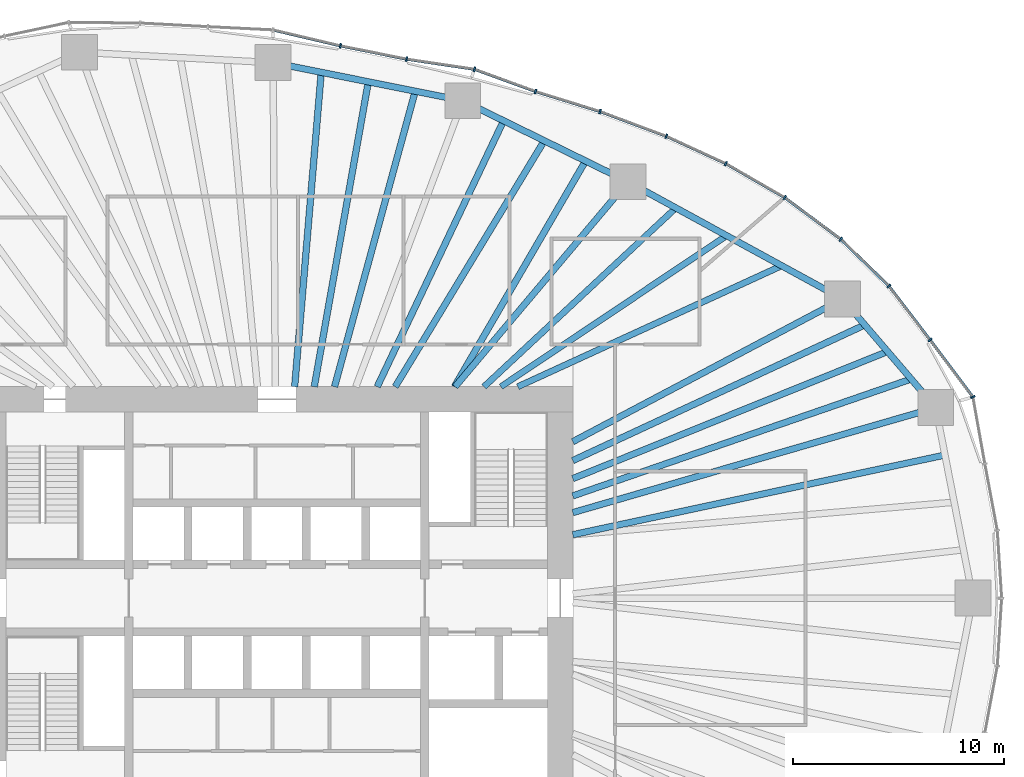
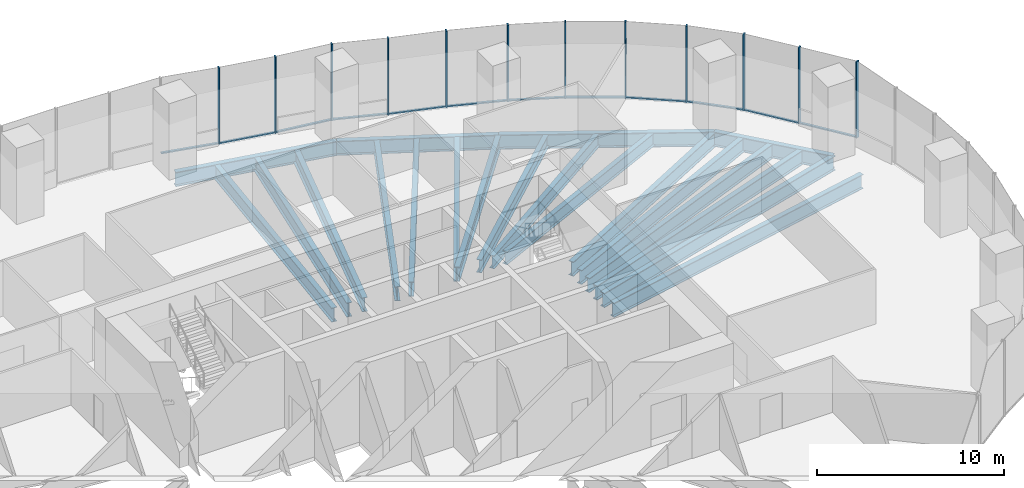
# One storey, part 6 of 20: 24 members, 20 beams, 4 elements without a shape of their own.
"""IFC4 building model written with IfcOpenShell, lengths in metres."""

from ifc_helpers import new_model, si_unit, direction, frame, origin, origin_2d, place, context, subcontext, project, spatial, rectangle, i_section, extrude, material, material_profile, profile_set, type_object, element, aggregate, save


model = new_model("IFC4")

# Units and contexts
model_context = context("Model", 3, precision=1e-05, world=origin(), true_north=direction((0.0, 1.0)))
body_context = subcontext(model_context, "Body", "Model", "MODEL_VIEW")
ifc_project = project(units=[si_unit("LENGTHUNIT", "METRE"), si_unit("AREAUNIT", "SQUARE_METRE"), si_unit("VOLUMEUNIT", "CUBIC_METRE"), si_unit("PLANEANGLEUNIT", "RADIAN"), si_unit("MASSUNIT", "GRAM", prefix="KILO")], contexts=[model_context])

# Site, building, storey
site_placement = place(None, origin())
site = spatial("IfcSite", under=ifc_project, at=site_placement, CompositionType="ELEMENT")
building_placement = place(site_placement, origin())
building = spatial("IfcBuilding", under=site, at=building_placement, Name="Ghaith Harvest Tower", CompositionType="ELEMENT")
storey_placement = place(building_placement, frame((0.0, 0.0, 55.0)))
storey = spatial("IfcBuildingStorey", under=building, at=storey_placement, Name="L11", CompositionType="ELEMENT", Elevation=55.0)

# Curtain wall, members
ifc_material_1 = material(Name="Black anodised aluminium and fritted glass", Category="aluminium")
curtain_wall_type = type_object("IfcCurtainWallType", Name="CW-F CURTAIN WALL", PredefinedType="NOTDEFINED", material=ifc_material_1)
curtain_wall_1_placement = place(storey_placement, origin())
curtain_wall_1 = element("IfcCurtainWall", 1, at=curtain_wall_1_placement, inside=storey, type_object=curtain_wall_type, Name="Curtain wall CW-F bay 02 L11", PredefinedType="NOTDEFINED")
ifc_material_2 = material(Name="Aluminium, black anodised", Category="aluminium")
ifc_material_profile_1 = material_profile(ifc_material_2, rectangle(XDim=0.080078125, YDim=0.219970703125, at=origin_2d()), Name="CW-F MULLION 80x220")
ifc_profile_set_1 = profile_set([ifc_material_profile_1], Name="Aluminium, black anodised")
member_type_1 = type_object("IfcMemberType", Name="CW-F MULLION 80x220", PredefinedType="MULLION", material=ifc_profile_set_1)
member_1_placement = place(storey_placement, frame((32.923583984375, 9.515625, 0.0), z_axis=(0.0, 0.0, 1.0), x_axis=(-0.404701693729, 0.914448762421, 0.0)))
member_1 = element("IfcMember", 2, at=member_1_placement, type_object=member_type_1, Name="CW-F mullion 1 bay 02 L11", PredefinedType="MULLION", context=body_context, shape_type="SweptSolid", body=[
    extrude(rectangle(XDim=0.080078125, YDim=0.219970703125, at=origin_2d()), origin(), (0.0, 0.0, 1.0), 5.0),
])
member_2_placement = place(storey_placement, frame((30.896728515625, 12.215087890625, 0.0), z_axis=(0.0, 0.0, 1.0), x_axis=(-0.603948315345, 0.797023482961, 0.0)))
member_2 = element("IfcMember", 3, at=member_2_placement, type_object=member_type_1, Name="CW-F mullion 2 bay 02 L11", PredefinedType="MULLION", context=body_context, shape_type="SweptSolid", body=[
    extrude(rectangle(XDim=0.080078125, YDim=0.219970703125, at=origin_2d()), origin(), (0.0, 0.0, 1.0), 5.0),
])
member_3_placement = place(storey_placement, frame((28.947021484375, 14.763427734375, 0.0), z_axis=(0.0, 0.0, 1.0), x_axis=(-0.663604797296, 0.748083332929, 0.0)))
member_3 = element("IfcMember", 4, at=member_3_placement, type_object=member_type_1, Name="CW-F mullion 3 bay 02 L11", PredefinedType="MULLION", context=body_context, shape_type="SweptSolid", body=[
    extrude(rectangle(XDim=0.080078125, YDim=0.219970703125, at=origin_2d()), origin(), (0.0, 0.0, 1.0), 5.0),
])

curtain_wall_2_placement = place(storey_placement, origin())
curtain_wall_2 = element("IfcCurtainWall", 5, at=curtain_wall_2_placement, inside=storey, type_object=curtain_wall_type, Name="Curtain wall CW-F bay 03 L11", PredefinedType="NOTDEFINED")
member_4_placement = place(storey_placement, frame((26.673828125, 16.9755859375, 0.0), z_axis=(0.0, 0.0, 1.0), x_axis=(-0.762365981091, 0.647146127915, 0.0)))
member_4 = element("IfcMember", 6, at=member_4_placement, type_object=member_type_1, Name="CW-F mullion 1 bay 03 L11", PredefinedType="MULLION", context=body_context, shape_type="SweptSolid", body=[
    extrude(rectangle(XDim=0.080078125, YDim=0.219970703125, at=origin_2d()), origin(), (0.0, 0.0, 1.0), 5.0),
])
member_5_placement = place(storey_placement, frame((24.018310546875, 18.947265625, 0.0), z_axis=(0.0, 0.0, 1.0), x_axis=(-0.835443516723, 0.549576318963, 0.0)))
member_5 = element("IfcMember", 7, at=member_5_placement, type_object=member_type_1, Name="CW-F mullion 2 bay 03 L11", PredefinedType="MULLION", context=body_context, shape_type="SweptSolid", body=[
    extrude(rectangle(XDim=0.080078125, YDim=0.219970703125, at=origin_2d()), origin(), (0.0, 0.0, 1.0), 5.0),
])
member_6_placement = place(storey_placement, frame((21.2353515625, 20.552978515625, 0.0), z_axis=(0.0, 0.0, 1.0), x_axis=(-0.887896671642, 0.460042933308, 0.0)))
member_6 = element("IfcMember", 8, at=member_6_placement, type_object=member_type_1, Name="CW-F mullion 3 bay 03 L11", PredefinedType="MULLION", context=body_context, shape_type="SweptSolid", body=[
    extrude(rectangle(XDim=0.080078125, YDim=0.219970703125, at=origin_2d()), origin(), (0.0, 0.0, 1.0), 5.0),
])

curtain_wall_3_placement = place(storey_placement, origin())
curtain_wall_3 = element("IfcCurtainWall", 9, at=curtain_wall_3_placement, inside=storey, type_object=curtain_wall_type, Name="Curtain wall CW-F bay 04 L11", PredefinedType="NOTDEFINED")
member_7_placement = place(storey_placement, frame((18.422607421875, 21.8466796875, 0.0), z_axis=(0.0, 0.0, 1.0), x_axis=(-0.923910199252, 0.382609387912, 0.0)))
member_7 = element("IfcMember", 10, at=member_7_placement, type_object=member_type_1, Name="CW-F mullion 1 bay 04 L11", PredefinedType="MULLION", context=body_context, shape_type="SweptSolid", body=[
    extrude(rectangle(XDim=0.080078125, YDim=0.219970703125, at=origin_2d()), origin(), (0.0, 0.0, 1.0), 5.0),
])
member_8_placement = place(storey_placement, frame((15.28759765625, 23.01611328125, 0.0), z_axis=(0.0, 0.0, 1.0), x_axis=(-0.946121020954, 0.323813238933, 0.0)))
member_8 = element("IfcMember", 11, at=member_8_placement, type_object=member_type_1, Name="CW-F mullion 2 bay 04 L11", PredefinedType="MULLION", context=body_context, shape_type="SweptSolid", body=[
    extrude(rectangle(XDim=0.080078125, YDim=0.219970703125, at=origin_2d()), origin(), (0.0, 0.0, 1.0), 5.0),
])
member_9_placement = place(storey_placement, frame((12.234375, 23.964599609375, 0.0), z_axis=(0.0, 0.0, 1.0), x_axis=(-0.947653438436, 0.319300736957, 0.0)))
member_9 = element("IfcMember", 12, at=member_9_placement, type_object=member_type_1, Name="CW-F mullion 3 bay 04 L11", PredefinedType="MULLION", context=body_context, shape_type="SweptSolid", body=[
    extrude(rectangle(XDim=0.080078125, YDim=0.219970703125, at=origin_2d()), origin(), (0.0, 0.0, 1.0), 5.0),
])

curtain_wall_4_placement = place(storey_placement, origin())
curtain_wall_4 = element("IfcCurtainWall", 13, at=curtain_wall_4_placement, inside=storey, type_object=curtain_wall_type, Name="Curtain wall CW-F bay 05 L11", PredefinedType="NOTDEFINED")
member_10_placement = place(storey_placement, frame((9.351806640625, 25.01611328125, 0.0), z_axis=(0.0, 0.0, 1.0), x_axis=(-0.969903429236, 0.243489913461, 0.0)))
member_10 = element("IfcMember", 14, at=member_10_placement, type_object=member_type_1, Name="CW-F mullion 1 bay 05 L11", PredefinedType="MULLION", context=body_context, shape_type="SweptSolid", body=[
    extrude(rectangle(XDim=0.080078125, YDim=0.219970703125, at=origin_2d()), origin(), (0.0, 0.0, 1.0), 5.0),
])
member_11_placement = place(storey_placement, frame((6.136962890625, 25.495361328125, 0.0), z_axis=(0.0, 0.0, 1.0), x_axis=(-0.985103843977, 0.171960508788, 0.0)))
member_11 = element("IfcMember", 15, at=member_11_placement, type_object=member_type_1, Name="CW-F mullion 2 bay 05 L11", PredefinedType="MULLION", context=body_context, shape_type="SweptSolid", body=[
    extrude(rectangle(XDim=0.080078125, YDim=0.219970703125, at=origin_2d()), origin(), (0.0, 0.0, 1.0), 5.0),
])
member_12_placement = place(storey_placement, frame((3.00927734375, 26.123291015625, 0.0), z_axis=(0.0, 0.0, 1.0), x_axis=(-0.976927332869, 0.213571969822, 0.0)))
member_12 = element("IfcMember", 16, at=member_12_placement, type_object=member_type_1, Name="CW-F mullion 3 bay 05 L11", PredefinedType="MULLION", context=body_context, shape_type="SweptSolid", body=[
    extrude(rectangle(XDim=0.080078125, YDim=0.219970703125, at=origin_2d()), origin(), (0.0, 0.0, 1.0), 5.0),
])

# Member
ifc_material_3 = material(Name="Aluminium, black anodised", Category="aluminium")
ifc_material_profile_2 = material_profile(ifc_material_3, rectangle(XDim=0.139892578125, YDim=0.080078125, at=origin_2d()), Name="CW-F TRANSOM 140x80")
ifc_profile_set_2 = profile_set([ifc_material_profile_2], Name="Aluminium, black anodised")
member_type_2 = type_object("IfcMemberType", Name="CW-F TRANSOM 140x80", PredefinedType="USERDEFINED", material=ifc_profile_set_2)
member_13_placement = place(storey_placement, frame((32.899658203125, 9.547607421875, 0.0400390625), z_axis=(-0.600462135687, 0.799653189581, 0.0), x_axis=(-0.799653189581, -0.600462135687, 0.0)))
member_13 = element("IfcMember", 17, at=member_13_placement, type_object=member_type_2, Name="CW-F transom 1 bay 02 L11", ObjectType="TRANSOM", PredefinedType="USERDEFINED", context=body_context, shape_type="SweptSolid", body=[
    extrude(rectangle(XDim=0.139892578125, YDim=0.080078125, at=origin_2d()), origin(), (0.0, 0.0, 1.0), 3.2958984375),
])

member_14_placement = place(storey_placement, frame((30.87255859375, 12.246826171875, 0.0400390625), z_axis=(-0.607638356471, 0.794213842579, 0.0), x_axis=(-0.794213842579, -0.607638356471, 0.0)))
member_14 = element("IfcMember", 18, at=member_14_placement, type_object=member_type_2, Name="CW-F transom 2 bay 02 L11", ObjectType="TRANSOM", PredefinedType="USERDEFINED", context=body_context, shape_type="SweptSolid", body=[
    extrude(rectangle(XDim=0.139892578125, YDim=0.080078125, at=origin_2d()), origin(), (0.0, 0.0, 1.0), 3.128662109375),
])

member_15_placement = place(storey_placement, frame((28.91845703125, 14.791259765625, 0.0400390625), z_axis=(-0.71671313139, 0.697368114623, 0.0), x_axis=(-0.697368114623, -0.71671313139, 0.0)))
member_15 = element("IfcMember", 19, at=member_15_placement, type_object=member_type_2, Name="CW-F transom 3 bay 02 L11", ObjectType="TRANSOM", PredefinedType="USERDEFINED", context=body_context, shape_type="SweptSolid", body=[
    extrude(rectangle(XDim=0.139892578125, YDim=0.080078125, at=origin_2d()), origin(), (0.0, 0.0, 1.0), 3.092041015625),
])

aggregate(curtain_wall_1, [member_1, member_13, member_2, member_14, member_3, member_15])

member_16_placement = place(storey_placement, frame((26.641845703125, 16.999267578125, 0.0400390625), z_axis=(-0.802877287823, 0.596144328748, 0.0), x_axis=(-0.596144328748, -0.802877287823, 0.0)))
member_16 = element("IfcMember", 20, at=member_16_placement, type_object=member_type_2, Name="CW-F transom 1 bay 03 L11", ObjectType="TRANSOM", PredefinedType="USERDEFINED", context=body_context, shape_type="SweptSolid", body=[
    extrude(rectangle(XDim=0.139892578125, YDim=0.080078125, at=origin_2d()), origin(), (0.0, 0.0, 1.0), 3.2275390625),
])

member_17_placement = place(storey_placement, frame((23.983642578125, 18.96728515625, 0.0400390625), z_axis=(-0.866168719914, 0.499751686983, 0.0), x_axis=(-0.499751686983, -0.866168719914, 0.0)))
member_17 = element("IfcMember", 21, at=member_17_placement, type_object=member_type_2, Name="CW-F transom 2 bay 03 L11", ObjectType="TRANSOM", PredefinedType="USERDEFINED", context=body_context, shape_type="SweptSolid", body=[
    extrude(rectangle(XDim=0.139892578125, YDim=0.080078125, at=origin_2d()), origin(), (0.0, 0.0, 1.0), 3.1328125),
])

member_18_placement = place(storey_placement, frame((21.19921875, 20.56982421875, 0.0400390625), z_axis=(-0.908553137239, 0.417769310521, 0.0), x_axis=(-0.417769310521, -0.908553137239, 0.0)))
member_18 = element("IfcMember", 22, at=member_18_placement, type_object=member_type_2, Name="CW-F transom 3 bay 03 L11", ObjectType="TRANSOM", PredefinedType="USERDEFINED", context=body_context, shape_type="SweptSolid", body=[
    extrude(rectangle(XDim=0.139892578125, YDim=0.080078125, at=origin_2d()), origin(), (0.0, 0.0, 1.0), 3.01611328125),
])

aggregate(curtain_wall_2, [member_4, member_16, member_5, member_17, member_6, member_18])

member_19_placement = place(storey_placement, frame((18.385009765625, 21.860595703125, 0.0400390625), z_axis=(-0.936923785579, 0.349533717996, 0.0), x_axis=(-0.349533717996, -0.936923785579, 0.0)))
member_19 = element("IfcMember", 23, at=member_19_placement, type_object=member_type_2, Name="CW-F transom 1 bay 04 L11", ObjectType="TRANSOM", PredefinedType="USERDEFINED", context=body_context, shape_type="SweptSolid", body=[
    extrude(rectangle(XDim=0.139892578125, YDim=0.080078125, at=origin_2d()), origin(), (0.0, 0.0, 1.0), 3.26611328125),
])

member_20_placement = place(storey_placement, frame((15.249267578125, 23.028076171875, 0.0400390625), z_axis=(-0.954998362353, 0.296611071781, 0.0), x_axis=(-0.296611071781, -0.954998362353, 0.0)))
member_20 = element("IfcMember", 24, at=member_20_placement, type_object=member_type_2, Name="CW-F transom 2 bay 04 L11", ObjectType="TRANSOM", PredefinedType="USERDEFINED", context=body_context, shape_type="SweptSolid", body=[
    extrude(rectangle(XDim=0.139892578125, YDim=0.080078125, at=origin_2d()), origin(), (0.0, 0.0, 1.0), 3.1171875),
])

member_21_placement = place(storey_placement, frame((12.19677734375, 23.978271484375, 0.0400390625), z_axis=(-0.939437502081, 0.342720264478, 0.0), x_axis=(-0.342720264478, -0.939437502081, 0.0)))
member_21 = element("IfcMember", 25, at=member_21_placement, type_object=member_type_2, Name="CW-F transom 3 bay 04 L11", ObjectType="TRANSOM", PredefinedType="USERDEFINED", context=body_context, shape_type="SweptSolid", body=[
    extrude(rectangle(XDim=0.139892578125, YDim=0.080078125, at=origin_2d()), origin(), (0.0, 0.0, 1.0), 2.98828125),
])

aggregate(curtain_wall_3, [member_7, member_19, member_8, member_20, member_9, member_21])

member_22_placement = place(storey_placement, frame((9.312255859375, 25.02197265625, 0.0400390625), z_axis=(-0.989078238205, 0.147391447207, 0.0), x_axis=(-0.147391447207, -0.989078238205, 0.0)))
member_22 = element("IfcMember", 26, at=member_22_placement, type_object=member_type_2, Name="CW-F transom 1 bay 05 L11", ObjectType="TRANSOM", PredefinedType="USERDEFINED", context=body_context, shape_type="SweptSolid", body=[
    extrude(rectangle(XDim=0.139892578125, YDim=0.080078125, at=origin_2d()), origin(), (0.0, 0.0, 1.0), 3.17041015625),
])

member_23_placement = place(storey_placement, frame((6.097900390625, 25.503173828125, 0.0400390625), z_axis=(-0.980432471193, 0.196855707129, 0.0), x_axis=(-0.196855707129, -0.980432471193, 0.0)))
member_23 = element("IfcMember", 27, at=member_23_placement, type_object=member_type_2, Name="CW-F transom 2 bay 05 L11", ObjectType="TRANSOM", PredefinedType="USERDEFINED", context=body_context, shape_type="SweptSolid", body=[
    extrude(rectangle(XDim=0.139892578125, YDim=0.080078125, at=origin_2d()), origin(), (0.0, 0.0, 1.0), 3.1103515625),
])

member_24_placement = place(storey_placement, frame((2.97021484375, 26.132568359375, 0.0400390625), z_axis=(-0.973252867589, 0.229736491942, 0.0), x_axis=(-0.229736491942, -0.973252867589, 0.0)))
member_24 = element("IfcMember", 28, at=member_24_placement, type_object=member_type_2, Name="CW-F transom 3 bay 05 L11", ObjectType="TRANSOM", PredefinedType="USERDEFINED", context=body_context, shape_type="SweptSolid", body=[
    extrude(rectangle(XDim=0.139892578125, YDim=0.080078125, at=origin_2d()), origin(), (0.0, 0.0, 1.0), 3.200927734375),
])

aggregate(curtain_wall_4, [member_10, member_22, member_11, member_23, member_12, member_24])

# Beams
ifc_material_4 = material(Name="Steel ASTM A992 Grade 50", Category="steel")
ifc_material_profile_3 = material_profile(ifc_material_4, i_section(OverallWidth=0.306884765625, OverallDepth=0.94189453125, WebThickness=0.022216796875, FlangeThickness=0.039794921875, at=origin_2d()), Name="W920X345")
ifc_profile_set_3 = profile_set([ifc_material_profile_3], Name="Steel ASTM A992 Grade 50")
beam_type_1 = type_object("IfcBeamType", Name="E920-345 W920X345", PredefinedType="SPANDREL", material=ifc_profile_set_3)
beam_1_placement = place(storey_placement, frame((31.166015625, 9.008056640625, -0.6708984375), z_axis=(-0.65056255283, 0.759452674533, 0.0), x_axis=(-0.759452674533, -0.65056255283, 0.0)))
element("IfcBeam", 29, at=beam_1_placement, inside=storey, type_object=beam_type_1, Name="Edge beam E02 L11", PredefinedType="SPANDREL", context=body_context, shape_type="SweptSolid", body=[
    extrude(i_section(OverallWidth=0.306884765625, OverallDepth=0.94189453125, WebThickness=0.022216796875, FlangeThickness=0.039794921875, at=origin_2d()), origin(), (0.0, 0.0, 1.0), 6.7666015625),
])
beam_2_placement = place(storey_placement, frame((26.763916015625, 14.14697265625, -0.6708984375), z_axis=(-0.877588218279, 0.479415184509, 0.0), x_axis=(-0.479415184509, -0.877588218279, 0.0)))
element("IfcBeam", 30, at=beam_2_placement, inside=storey, type_object=beam_type_1, Name="Edge beam E03 L11", PredefinedType="SPANDREL", context=body_context, shape_type="SweptSolid", body=[
    extrude(i_section(OverallWidth=0.306884765625, OverallDepth=0.94189453125, WebThickness=0.022216796875, FlangeThickness=0.039794921875, at=origin_2d()), origin(), (0.0, 0.0, 1.0), 11.57275390625),
])
beam_3_placement = place(storey_placement, frame((16.60791015625, 19.695068359375, -0.6708984375), z_axis=(-0.897823733825, 0.440355019252, 0.0), x_axis=(-0.440355019252, -0.897823733825, 0.0)))
element("IfcBeam", 31, at=beam_3_placement, inside=storey, type_object=beam_type_1, Name="Edge beam E04 L11", PredefinedType="SPANDREL", context=body_context, shape_type="SweptSolid", body=[
    extrude(i_section(OverallWidth=0.306884765625, OverallDepth=0.94189453125, WebThickness=0.022216796875, FlangeThickness=0.039794921875, at=origin_2d()), origin(), (0.0, 0.0, 1.0), 8.7021484375),
])
beam_4_placement = place(storey_placement, frame((8.794921875, 23.527099609375, -0.6708984375), z_axis=(-0.980450082464, 0.196767974517, 0.0), x_axis=(-0.196767974517, -0.980450082464, 0.0)))
element("IfcBeam", 32, at=beam_4_placement, inside=storey, type_object=beam_type_1, Name="Edge beam E05 L11", PredefinedType="SPANDREL", context=body_context, shape_type="SweptSolid", body=[
    extrude(i_section(OverallWidth=0.306884765625, OverallDepth=0.94189453125, WebThickness=0.022216796875, FlangeThickness=0.039794921875, at=origin_2d()), origin(), (0.0, 0.0, 1.0), 9.146728515625),
])
ifc_material_5 = material(Name="Steel ASTM A992 Grade 50", Category="steel")
ifc_material_profile_4 = material_profile(ifc_material_5, i_section(OverallWidth=0.306884765625, OverallDepth=0.94189453125, WebThickness=0.022216796875, FlangeThickness=0.039794921875, at=origin_2d()), Name="W920X345")
ifc_profile_set_4 = profile_set([ifc_material_profile_4], Name="Steel ASTM A992 Grade 50")
beam_type_2 = type_object("IfcBeamType", Name="G920-345 W920X345", PredefinedType="BEAM", material=ifc_profile_set_4)
beam_5_placement = place(storey_placement, frame((14.0, 4.04638671875, -0.6708984375), z_axis=(0.960675395102, 0.277673882903, 0.0), x_axis=(-0.277673882903, 0.960675395102, 0.0)))
element("IfcBeam", 33, at=beam_5_placement, inside=storey, type_object=beam_type_2, Name="Radial girder G02 L11", PredefinedType="BEAM", context=body_context, shape_type="SweptSolid", body=[
    extrude(i_section(OverallWidth=0.306884765625, OverallDepth=0.94189453125, WebThickness=0.022216796875, FlangeThickness=0.039794921875, at=origin_2d()), origin(), (0.0, 0.0, 1.0), 17.86865234375),
])
beam_6_placement = place(storey_placement, frame((14.0, 7.39990234375, -0.6708984375), z_axis=(0.884082663971, 0.467330550324, 0.0), x_axis=(-0.467330550324, 0.884082663971, 0.0)))
element("IfcBeam", 34, at=beam_6_placement, inside=storey, type_object=beam_type_2, Name="Radial girder G03 L11", PredefinedType="BEAM", context=body_context, shape_type="SweptSolid", body=[
    extrude(i_section(OverallWidth=0.306884765625, OverallDepth=0.94189453125, WebThickness=0.022216796875, FlangeThickness=0.039794921875, at=origin_2d()), origin(), (0.0, 0.0, 1.0), 14.4375),
])
beam_7_placement = place(storey_placement, frame((8.4326171875, 10.0, -0.6708984375), z_axis=(0.644644245772, 0.764482698557, 0.0), x_axis=(-0.764482698557, 0.644644245772, 0.0)))
element("IfcBeam", 35, at=beam_7_placement, inside=storey, type_object=beam_type_2, Name="Radial girder G04 L11", PredefinedType="BEAM", context=body_context, shape_type="SweptSolid", body=[
    extrude(i_section(OverallWidth=0.306884765625, OverallDepth=0.94189453125, WebThickness=0.022216796875, FlangeThickness=0.039794921875, at=origin_2d()), origin(), (0.0, 0.0, 1.0), 12.681884765625),
])
ifc_material_6 = material(Name="Steel ASTM A992 Grade 50", Category="steel")
ifc_material_profile_5 = material_profile(ifc_material_6, i_section(OverallWidth=0.2939453125, OverallDepth=0.85107421875, WebThickness=0.01611328125, FlangeThickness=0.02685546875, at=origin_2d()), Name="W840X226")
ifc_profile_set_5 = profile_set([ifc_material_profile_5], Name="Steel ASTM A992 Grade 50")
beam_type_3 = type_object("IfcBeamType", Name="J840-226 W840X226", PredefinedType="JOIST", material=ifc_profile_set_5)
beam_8_placement = place(storey_placement, frame((11.39990234375, 10.0, -0.62548828125), z_axis=(0.909014022454, 0.416765529983, 0.0), x_axis=(-0.416765529983, 0.909014022454, 0.0)))
element("IfcBeam", 36, at=beam_8_placement, inside=storey, type_object=beam_type_3, Name="Joist J03.1 L11", PredefinedType="JOIST", context=body_context, shape_type="SweptSolid", body=[
    extrude(i_section(OverallWidth=0.2939453125, OverallDepth=0.85107421875, WebThickness=0.01611328125, FlangeThickness=0.02685546875, at=origin_2d()), origin(), (0.0, 0.0, 1.0), 13.72998046875),
])
beam_9_placement = place(storey_placement, frame((10.60009765625, 10.0, -0.62548828125), z_axis=(0.831116486766, 0.556098359489, 0.0), x_axis=(-0.556098359489, 0.831116486766, 0.0)))
element("IfcBeam", 37, at=beam_9_placement, inside=storey, type_object=beam_type_3, Name="Joist J03.2 L11", PredefinedType="JOIST", context=body_context, shape_type="SweptSolid", body=[
    extrude(i_section(OverallWidth=0.2939453125, OverallDepth=0.85107421875, WebThickness=0.01611328125, FlangeThickness=0.02685546875, at=origin_2d()), origin(), (0.0, 0.0, 1.0), 12.84716796875),
])
beam_10_placement = place(storey_placement, frame((9.800048828125, 10.0, -0.62548828125), z_axis=(0.731538123562, 0.681800538116, 0.0), x_axis=(-0.681800538116, 0.731538123562, 0.0)))
element("IfcBeam", 38, at=beam_10_placement, inside=storey, type_object=beam_type_3, Name="Joist J03.3 L11", PredefinedType="JOIST", context=body_context, shape_type="SweptSolid", body=[
    extrude(i_section(OverallWidth=0.2939453125, OverallDepth=0.85107421875, WebThickness=0.01611328125, FlangeThickness=0.02685546875, at=origin_2d()), origin(), (0.0, 0.0, 1.0), 12.404052734375),
])
ifc_material_7 = material(Name="Steel ASTM A992 Grade 50", Category="steel")
ifc_material_profile_6 = material_profile(ifc_material_7, i_section(OverallWidth=0.31005859375, OverallDepth=0.927001953125, WebThickness=0.019287109375, FlangeThickness=0.031982421875, at=origin_2d()), Name="W920X289")
ifc_profile_set_6 = profile_set([ifc_material_profile_6], Name="Steel ASTM A992 Grade 50")
beam_type_4 = type_object("IfcBeamType", Name="J920-289 W920X289", PredefinedType="JOIST", material=ifc_profile_set_6)
beam_11_placement = place(storey_placement, frame((14.0, 6.506103515625, -0.66357421875), z_axis=(0.906862619792, 0.421426374144, 0.0), x_axis=(-0.421426374144, 0.906862619792, 0.0)))
element("IfcBeam", 39, at=beam_11_placement, inside=storey, type_object=beam_type_4, Name="Joist J02.3 L11", PredefinedType="JOIST", context=body_context, shape_type="SweptSolid", body=[
    extrude(i_section(OverallWidth=0.31005859375, OverallDepth=0.927001953125, WebThickness=0.019287109375, FlangeThickness=0.031982421875, at=origin_2d()), origin(), (0.0, 0.0, 1.0), 15.229736328125),
])
beam_12_placement = place(storey_placement, frame((8.39990234375, 10.0, -0.66357421875), z_axis=(0.50228574324, 0.864701701246, 0.0), x_axis=(-0.864701701246, 0.50228574324, 0.0)))
element("IfcBeam", 40, at=beam_12_placement, inside=storey, type_object=beam_type_4, Name="Joist J04.1 L11", PredefinedType="JOIST", context=body_context, shape_type="SweptSolid", body=[
    extrude(i_section(OverallWidth=0.31005859375, OverallDepth=0.927001953125, WebThickness=0.019287109375, FlangeThickness=0.031982421875, at=origin_2d()), origin(), (0.0, 0.0, 1.0), 12.349365234375),
])
beam_13_placement = place(storey_placement, frame((5.60009765625, 10.0, -0.66357421875), z_axis=(0.518319612023, 0.85518698528, 0.0), x_axis=(-0.85518698528, 0.518319612023, 0.0)))
element("IfcBeam", 41, at=beam_13_placement, inside=storey, type_object=beam_type_4, Name="Joist J04.2 L11", PredefinedType="JOIST", context=body_context, shape_type="SweptSolid", body=[
    extrude(i_section(OverallWidth=0.31005859375, OverallDepth=0.927001953125, WebThickness=0.019287109375, FlangeThickness=0.031982421875, at=origin_2d()), origin(), (0.0, 0.0, 1.0), 13.60546875),
])
beam_14_placement = place(storey_placement, frame((4.75, 10.0, -0.66357421875), z_axis=(0.429059675117, 0.903276145588, 0.0), x_axis=(-0.903276145588, 0.429059675117, 0.0)))
element("IfcBeam", 42, at=beam_14_placement, inside=storey, type_object=beam_type_4, Name="Joist J04.3 L11", PredefinedType="JOIST", context=body_context, shape_type="SweptSolid", body=[
    extrude(i_section(OverallWidth=0.31005859375, OverallDepth=0.927001953125, WebThickness=0.019287109375, FlangeThickness=0.031982421875, at=origin_2d()), origin(), (0.0, 0.0, 1.0), 13.92724609375),
])
beam_15_placement = place(storey_placement, frame((2.73095703125, 10.0, -0.66357421875), z_axis=(0.263455282447, 0.964671609487, 0.0), x_axis=(-0.964671609487, 0.263455282447, 0.0)))
element("IfcBeam", 43, at=beam_15_placement, inside=storey, type_object=beam_type_4, Name="Joist J05.1 L11", PredefinedType="JOIST", context=body_context, shape_type="SweptSolid", body=[
    extrude(i_section(OverallWidth=0.31005859375, OverallDepth=0.927001953125, WebThickness=0.019287109375, FlangeThickness=0.031982421875, at=origin_2d()), origin(), (0.0, 0.0, 1.0), 14.48974609375),
])
beam_16_placement = place(storey_placement, frame((1.772705078125, 10.0, -0.66357421875), z_axis=(0.174552574354, 0.984647855218, 0.0), x_axis=(-0.984647855218, 0.174552574354, 0.0)))
element("IfcBeam", 44, at=beam_16_placement, inside=storey, type_object=beam_type_4, Name="Joist J05.2 L11", PredefinedType="JOIST", context=body_context, shape_type="SweptSolid", body=[
    extrude(i_section(OverallWidth=0.31005859375, OverallDepth=0.927001953125, WebThickness=0.019287109375, FlangeThickness=0.031982421875, at=origin_2d()), origin(), (0.0, 0.0, 1.0), 14.648193359375),
])
beam_17_placement = place(storey_placement, frame((0.844970703125, 10.0, -0.66357421875), z_axis=(0.084219252187, 0.996447247756, 0.0), x_axis=(-0.996447247756, 0.084219252187, 0.0)))
element("IfcBeam", 45, at=beam_17_placement, inside=storey, type_object=beam_type_4, Name="Joist J05.3 L11", PredefinedType="JOIST", context=body_context, shape_type="SweptSolid", body=[
    extrude(i_section(OverallWidth=0.31005859375, OverallDepth=0.927001953125, WebThickness=0.019287109375, FlangeThickness=0.031982421875, at=origin_2d()), origin(), (0.0, 0.0, 1.0), 14.92333984375),
])
ifc_material_8 = material(Name="Steel ASTM A992 Grade 50", Category="steel")
ifc_material_profile_7 = material_profile(ifc_material_8, i_section(OverallWidth=0.306884765625, OverallDepth=0.94189453125, WebThickness=0.022216796875, FlangeThickness=0.039794921875, at=origin_2d()), Name="W920X345")
ifc_profile_set_7 = profile_set([ifc_material_profile_7], Name="Steel ASTM A992 Grade 50")
beam_type_5 = type_object("IfcBeamType", Name="J920-345 W920X345", PredefinedType="JOIST", material=ifc_profile_set_7)
beam_18_placement = place(storey_placement, frame((14.0, 3.0, -0.6708984375), z_axis=(0.977831380626, 0.209393865869, 0.0), x_axis=(-0.209393865869, 0.977831380626, 0.0)))
element("IfcBeam", 46, at=beam_18_placement, inside=storey, type_object=beam_type_5, Name="Joist J01.3 L11", PredefinedType="JOIST", context=body_context, shape_type="SweptSolid", body=[
    extrude(i_section(OverallWidth=0.306884765625, OverallDepth=0.94189453125, WebThickness=0.022216796875, FlangeThickness=0.039794921875, at=origin_2d()), origin(), (0.0, 0.0, 1.0), 18.002197265625),
])
beam_19_placement = place(storey_placement, frame((14.0, 4.835693359375, -0.6708984375), z_axis=(0.945204767809, 0.326478095607, 0.0), x_axis=(-0.326478095607, 0.945204767809, 0.0)))
element("IfcBeam", 47, at=beam_19_placement, inside=storey, type_object=beam_type_5, Name="Joist J02.1 L11", PredefinedType="JOIST", context=body_context, shape_type="SweptSolid", body=[
    extrude(i_section(OverallWidth=0.306884765625, OverallDepth=0.94189453125, WebThickness=0.022216796875, FlangeThickness=0.039794921875, at=origin_2d()), origin(), (0.0, 0.0, 1.0), 16.932373046875),
])
beam_20_placement = place(storey_placement, frame((14.0, 5.653564453125, -0.6708984375), z_axis=(0.927252192145, 0.374437407536, 0.0), x_axis=(-0.374437407536, 0.927252192145, 0.0)))
element("IfcBeam", 48, at=beam_20_placement, inside=storey, type_object=beam_type_5, Name="Joist J02.2 L11", PredefinedType="JOIST", context=body_context, shape_type="SweptSolid", body=[
    extrude(i_section(OverallWidth=0.306884765625, OverallDepth=0.94189453125, WebThickness=0.022216796875, FlangeThickness=0.039794921875, at=origin_2d()), origin(), (0.0, 0.0, 1.0), 16.057373046875),
])

save(model, "model.ifc")
